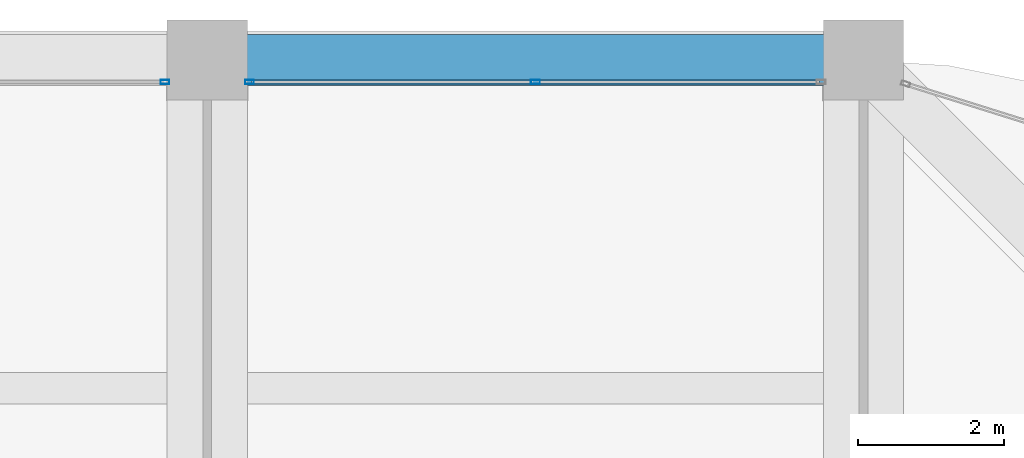
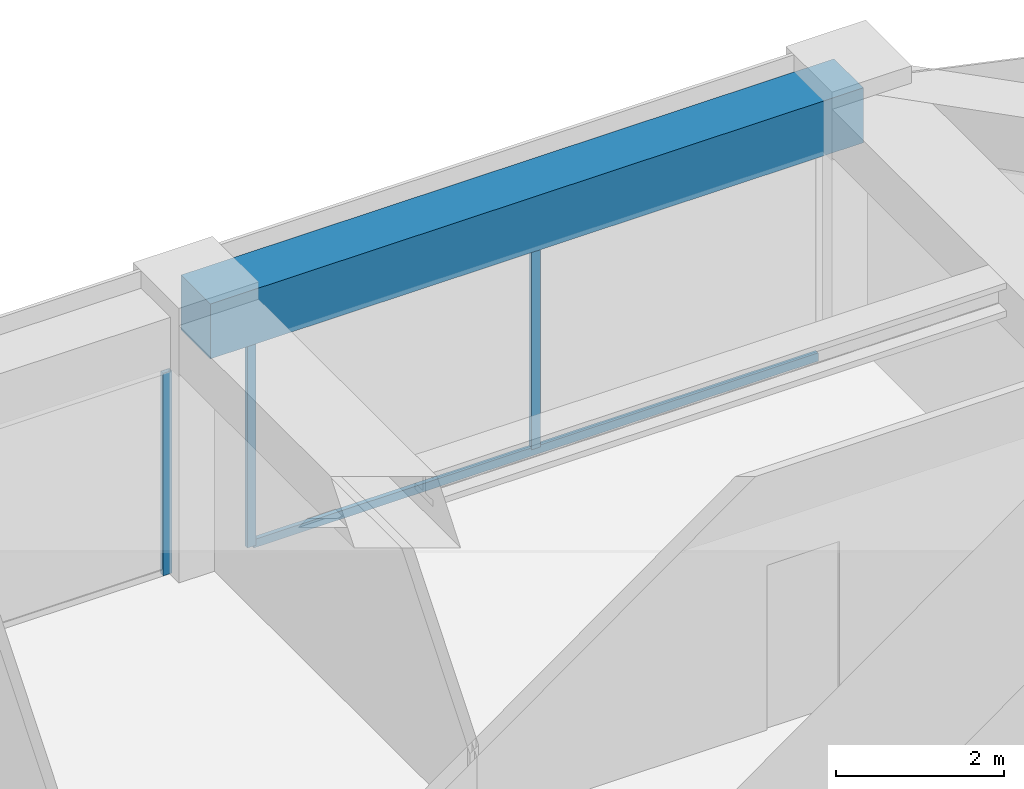
# One storey, part 35 of 44: 4 members, 1 beam, 2 elements without a shape of their own.
"""IFC4 building model written with IfcOpenShell, lengths in metres."""

from ifc_helpers import new_model, si_unit, direction, frame, origin, origin_2d, place, context, subcontext, project, spatial, rectangle, hollow_rectangle, extrude, material, material_profile, profile_set, type_object, element, aggregate, save


model = new_model("IFC4")

# Units and contexts
model_context = context("Model", 3, precision=1e-05, world=origin(), true_north=direction((0.0, 1.0)))
body_context = subcontext(model_context, "Body", "Model", "MODEL_VIEW")
ifc_project = project(units=[si_unit("LENGTHUNIT", "METRE"), si_unit("AREAUNIT", "SQUARE_METRE"), si_unit("VOLUMEUNIT", "CUBIC_METRE"), si_unit("PLANEANGLEUNIT", "RADIAN"), si_unit("MASSUNIT", "GRAM", prefix="KILO")], contexts=[model_context])

# Site, building, storey
site_placement = place(None, origin())
site = spatial("IfcSite", under=ifc_project, at=site_placement, CompositionType="ELEMENT")
building_placement = place(site_placement, origin())
building = spatial("IfcBuilding", under=site, at=building_placement, Name="Zorevar Civic Tower", CompositionType="ELEMENT")
storey_placement = place(building_placement, frame((0.0, 0.0, 255.39990234375)))
storey = spatial("IfcBuildingStorey", under=building, at=storey_placement, Name="L62", CompositionType="ELEMENT", Elevation=255.39990234375)

# Curtain wall, member
ifc_material_1 = material(Name="Dark grey solar-control glass in black aluminium frame", Category="aluminium")
curtain_wall_type = type_object("IfcCurtainWallType", Name="Curtain wall CW5 top zone", PredefinedType="NOTDEFINED", material=ifc_material_1)
curtain_wall_1_placement = place(storey_placement, origin())
curtain_wall_1 = element("IfcCurtainWall", 1, at=curtain_wall_1_placement, inside=storey, type_object=curtain_wall_type, Name="CW5 L62", PredefinedType="NOTDEFINED")
ifc_material_2 = material(Name="Aluminium, black anodised", Category="aluminium")
ifc_material_profile_1 = material_profile(ifc_material_2, hollow_rectangle(XDim=0.06005859375, YDim=0.1201171875, WallThickness=0.0029296875, at=origin_2d()), Name="AL 120x60x3")
ifc_profile_set_1 = profile_set([ifc_material_profile_1], Name="Aluminium, black anodised")
member_type_1 = type_object("IfcMemberType", Name="CW5 mullion AL 120x60x3", PredefinedType="MULLION", material=ifc_profile_set_1)
member_1_placement = place(storey_placement, frame((35.419921875, 44.699951171875, 0.0), z_axis=(0.0, 0.0, 1.0), x_axis=(0.0, 1.0, 0.0)))
member_1 = element("IfcMember", 2, at=member_1_placement, type_object=member_type_1, Name="CW5 mullion 3", PredefinedType="MULLION", context=body_context, shape_type="SweptSolid", body=[
    extrude(hollow_rectangle(XDim=0.06005859375, YDim=0.1201171875, WallThickness=0.0029296875, at=origin_2d()), origin(), (0.0, 0.0, 1.0), 2.9501953125),
])
aggregate(curtain_wall_1, [member_1])

# Curtain wall, members
curtain_wall_2_placement = place(storey_placement, origin())
curtain_wall_2 = element("IfcCurtainWall", 3, at=curtain_wall_2_placement, inside=storey, type_object=curtain_wall_type, Name="CW5 L62", PredefinedType="NOTDEFINED")
member_2_placement = place(storey_placement, frame((36.580078125, 44.699951171875, 0.0), z_axis=(0.0, 0.0, 1.0), x_axis=(0.0, 1.0, 0.0)))
member_2 = element("IfcMember", 4, at=member_2_placement, type_object=member_type_1, Name="CW5 mullion 1", PredefinedType="MULLION", context=body_context, shape_type="SweptSolid", body=[
    extrude(hollow_rectangle(XDim=0.06005859375, YDim=0.1201171875, WallThickness=0.0029296875, at=origin_2d()), origin(), (0.0, 0.0, 1.0), 2.9501953125),
])
member_3_placement = place(storey_placement, frame((40.5, 44.699951171875, 0.06005859375), z_axis=(0.0, 0.0, 1.0), x_axis=(0.0, 1.0, 0.0)))
member_3 = element("IfcMember", 5, at=member_3_placement, type_object=member_type_1, Name="CW5 mullion 2", PredefinedType="MULLION", context=body_context, shape_type="SweptSolid", body=[
    extrude(hollow_rectangle(XDim=0.06005859375, YDim=0.1201171875, WallThickness=0.0029296875, at=origin_2d()), origin(), (0.0, 0.0, 1.0), 2.89013671875),
])
ifc_material_3 = material(Name="Aluminium, black anodised", Category="aluminium")
ifc_material_profile_2 = material_profile(ifc_material_3, hollow_rectangle(XDim=0.06005859375, YDim=0.1201171875, WallThickness=0.0029296875, at=origin_2d()), Name="AL 120x60x3")
ifc_profile_set_2 = profile_set([ifc_material_profile_2], Name="Aluminium, black anodised")
member_type_2 = type_object("IfcMemberType", Name="CW5 transom AL 120x60x3", PredefinedType="USERDEFINED", material=ifc_profile_set_2)
member_4_placement = place(storey_placement, frame((36.610107421875, 44.699951171875, 0.030029296875), z_axis=(1.0, 0.0, 0.0), x_axis=(0.0, 1.0, 0.0)))
member_4 = element("IfcMember", 6, at=member_4_placement, type_object=member_type_2, Name="CW5 sill transom", ObjectType="TRANSOM", PredefinedType="USERDEFINED", context=body_context, shape_type="SweptSolid", body=[
    extrude(hollow_rectangle(XDim=0.06005859375, YDim=0.1201171875, WallThickness=0.0029296875, at=origin_2d()), origin(), (0.0, 0.0, 1.0), 7.77978515625),
])
aggregate(curtain_wall_2, [member_2, member_3, member_4])

# Beam
ifc_material_4 = material(Name="Concrete C50/60", Category="concrete")
ifc_material_profile_3 = material_profile(ifc_material_4, rectangle(XDim=0.699951171875, YDim=0.800048828125, at=origin_2d()), Name="RC 700x800")
ifc_profile_set_3 = profile_set([ifc_material_profile_3], Name="Concrete C50/60")
beam_type = type_object("IfcBeamType", Name="Edge beam RC 700x800", PredefinedType="SPANDREL", material=ifc_profile_set_3)
beam_placement = place(storey_placement, frame((36.0, 45.0, 3.35009765625), z_axis=(1.0, 0.0, 0.0), x_axis=(0.0, 1.0, 0.0)))
element("IfcBeam", 7, at=beam_placement, inside=storey, type_object=beam_type, Name="Edge beam L63", PredefinedType="SPANDREL", context=body_context, shape_type="SweptSolid", body=[
    extrude(rectangle(XDim=0.699951171875, YDim=0.800048828125, at=origin_2d()), origin(), (0.0, 0.0, 1.0), 9.0),
])

save(model, "model.ifc")
